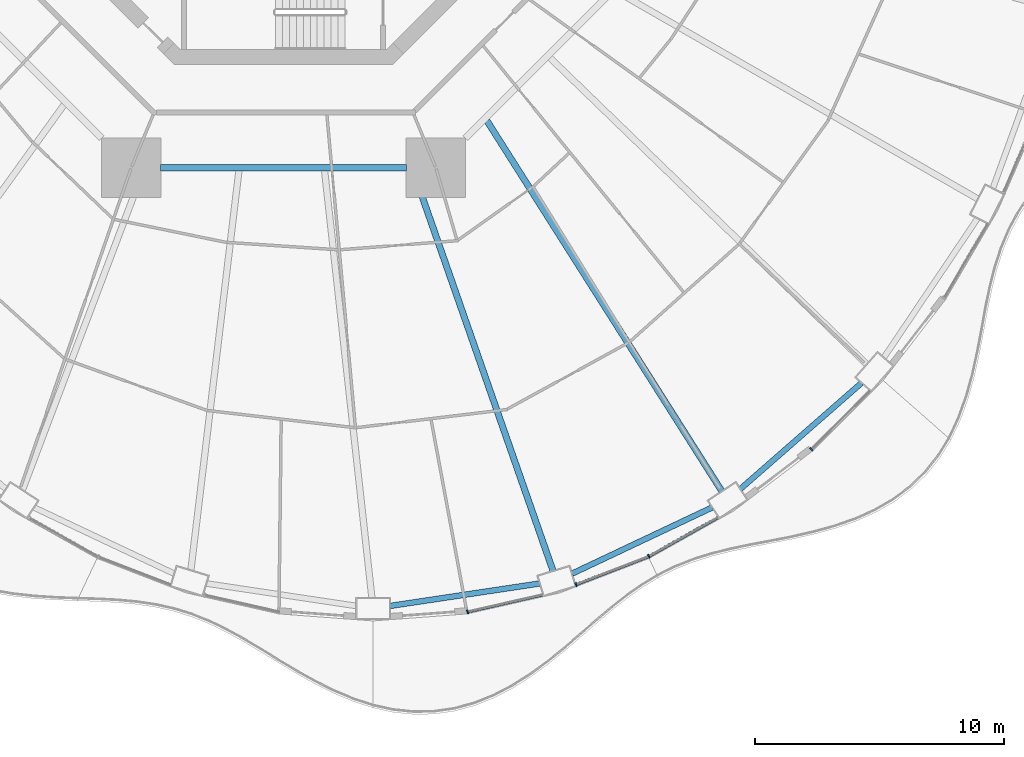
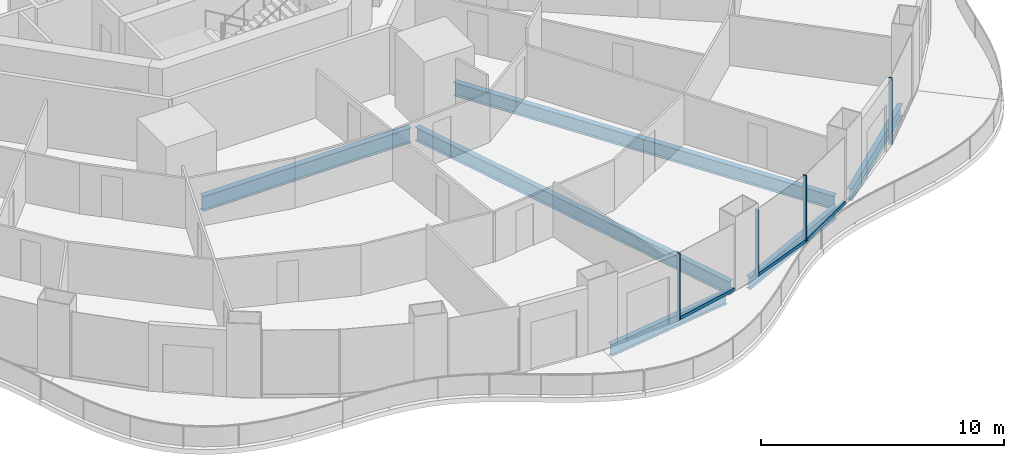
# One storey, part 4 of 22: 7 members, 6 beams, 4 elements without a shape of their own.
"""IFC4 building model written with IfcOpenShell, lengths in metres."""

from ifc_helpers import new_model, si_unit, direction, frame, origin, origin_2d, place, context, subcontext, project, spatial, rectangle, i_section, extrude, material, layer, layer_set, material_profile, profile_set, type_object, element, aggregate, save


model = new_model("IFC4")

# Units and contexts
model_context = context("Model", 3, precision=1e-05, world=origin(), true_north=direction((0.0, 1.0)))
body_context = subcontext(model_context, "Body", "Model", "MODEL_VIEW")
ifc_project = project(units=[si_unit("LENGTHUNIT", "METRE"), si_unit("AREAUNIT", "SQUARE_METRE"), si_unit("VOLUMEUNIT", "CUBIC_METRE"), si_unit("PLANEANGLEUNIT", "RADIAN"), si_unit("MASSUNIT", "GRAM", prefix="KILO")], contexts=[model_context])

# Site, building, storey
site_placement = place(None, origin())
site = spatial("IfcSite", under=ifc_project, at=site_placement, CompositionType="ELEMENT")
building_placement = place(site_placement, origin())
building = spatial("IfcBuilding", under=site, at=building_placement, Name="Nagisa Residences", CompositionType="ELEMENT")
storey_placement = place(building_placement, frame((0.0, 0.0, 64.0)))
storey = spatial("IfcBuildingStorey", under=building, at=storey_placement, Name="L15", CompositionType="ELEMENT", Elevation=64.0)

# Curtain wall, member
ifc_material_1 = material(Name="Concrete-coloured aluminium curtain wall system", Category="concrete")
ifc_layer = layer(ifc_material_1, 0.159912109375)
ifc_layer_set = layer_set([ifc_layer], Name="CW1 CURTAIN WALL")
curtain_wall_type = type_object("IfcCurtainWallType", Name="CW1 CURTAIN WALL", PredefinedType="NOTDEFINED", material=ifc_layer_set)
curtain_wall_1_placement = place(storey_placement, origin())
curtain_wall_1 = element("IfcCurtainWall", 1, at=curtain_wall_1_placement, inside=storey, type_object=curtain_wall_type, Name="cw:CW1:L15:37", PredefinedType="NOTDEFINED")
ifc_material_2 = material(Name="Concrete-coloured aluminium", Category="concrete")
ifc_material_profile_1 = material_profile(ifc_material_2, rectangle(XDim=0.159912109375, YDim=0.06005859375, at=origin_2d()), Name="CW1 MULLION 160x60")
ifc_profile_set_1 = profile_set([ifc_material_profile_1], Name="Concrete-coloured aluminium")
member_type_1 = type_object("IfcMemberType", Name="CW1 MULLION 160x60", PredefinedType="MULLION", material=ifc_profile_set_1)
member_1_placement = place(storey_placement, frame((7.39697265625, -32.633056640625, 0.0), z_axis=(0.0, 0.0, 1.0), x_axis=(-0.2207639201, 0.975327274089, 0.0)))
member_1 = element("IfcMember", 2, at=member_1_placement, type_object=member_type_1, Name="CW1 mullion", PredefinedType="MULLION", context=body_context, shape_type="SweptSolid", body=[
    extrude(rectangle(XDim=0.159912109375, YDim=0.06005859375, at=origin_2d()), origin(), (0.0, 0.0, 1.0), 3.35009765625),
])

curtain_wall_2_placement = place(storey_placement, origin())
curtain_wall_2 = element("IfcCurtainWall", 3, at=curtain_wall_2_placement, inside=storey, type_object=curtain_wall_type, Name="cw:CW1:L15:38", PredefinedType="NOTDEFINED")
member_2_placement = place(storey_placement, frame((11.7578125, -31.537841796875, 0.0), z_axis=(0.0, 0.0, 1.0), x_axis=(-0.360327770268, 0.932825759707, 0.0)))
member_2 = element("IfcMember", 4, at=member_2_placement, type_object=member_type_1, Name="CW1 mullion", PredefinedType="MULLION", context=body_context, shape_type="SweptSolid", body=[
    extrude(rectangle(XDim=0.159912109375, YDim=0.06005859375, at=origin_2d()), origin(), (0.0, 0.0, 1.0), 3.35009765625),
])

curtain_wall_3_placement = place(storey_placement, origin())
curtain_wall_3 = element("IfcCurtainWall", 5, at=curtain_wall_3_placement, inside=storey, type_object=curtain_wall_type, Name="cw:CW1:L15:39", PredefinedType="NOTDEFINED")
member_3_placement = place(storey_placement, frame((14.684814453125, -30.403564453125, 0.0), z_axis=(0.0, 0.0, 1.0), x_axis=(-0.489376918501, 0.872072377523, 0.0)))
member_3 = element("IfcMember", 6, at=member_3_placement, type_object=member_type_1, Name="CW1 mullion", PredefinedType="MULLION", context=body_context, shape_type="SweptSolid", body=[
    extrude(rectangle(XDim=0.159912109375, YDim=0.06005859375, at=origin_2d()), origin(), (0.0, 0.0, 1.0), 3.35009765625),
])

curtain_wall_4_placement = place(storey_placement, origin())
curtain_wall_4 = element("IfcCurtainWall", 7, at=curtain_wall_4_placement, inside=storey, type_object=curtain_wall_type, Name="cw:CW1:L15:41", PredefinedType="NOTDEFINED")
member_4_placement = place(storey_placement, frame((21.21875, -26.102783203125, 0.0), z_axis=(0.0, 0.0, 1.0), x_axis=(-0.706376885714, 0.707835924016, 0.0)))
member_4 = element("IfcMember", 8, at=member_4_placement, type_object=member_type_1, Name="CW1 mullion", PredefinedType="MULLION", context=body_context, shape_type="SweptSolid", body=[
    extrude(rectangle(XDim=0.159912109375, YDim=0.06005859375, at=origin_2d()), origin(), (0.0, 0.0, 1.0), 3.35009765625),
])
aggregate(curtain_wall_4, [member_4])

# Member
ifc_material_3 = material(Name="Concrete-coloured aluminium", Category="concrete")
ifc_material_profile_2 = material_profile(ifc_material_3, rectangle(XDim=0.1201171875, YDim=0.14990234375, at=origin_2d()), Name="CW1 TRANSOM 120x150")
ifc_profile_set_2 = profile_set([ifc_material_profile_2], Name="Concrete-coloured aluminium")
member_type_2 = type_object("IfcMemberType", Name="CW1 TRANSOM 120x150", PredefinedType="USERDEFINED", material=ifc_profile_set_2)
member_5_placement = place(storey_placement, frame((7.36767578125, -32.6396484375, 0.074951171875), z_axis=(0.975331134677, 0.220746863466, 0.0), x_axis=(-0.220746863466, 0.975331134677, 0.0)))
member_5 = element("IfcMember", 9, at=member_5_placement, type_object=member_type_2, Name="CW1 transom", ObjectType="TRANSOM", PredefinedType="USERDEFINED", context=body_context, shape_type="SweptSolid", body=[
    extrude(rectangle(XDim=0.1201171875, YDim=0.14990234375, at=origin_2d()), origin(), (0.0, 0.0, 1.0), 3.114501953125),
])

aggregate(curtain_wall_1, [member_1, member_5])

member_6_placement = place(storey_placement, frame((11.72998046875, -31.548583984375, 0.074951171875), z_axis=(0.932825366452, 0.360328788337, 0.0), x_axis=(-0.360328788337, 0.932825366452, 0.0)))
member_6 = element("IfcMember", 10, at=member_6_placement, type_object=member_type_2, Name="CW1 transom", ObjectType="TRANSOM", PredefinedType="USERDEFINED", context=body_context, shape_type="SweptSolid", body=[
    extrude(rectangle(XDim=0.1201171875, YDim=0.14990234375, at=origin_2d()), origin(), (0.0, 0.0, 1.0), 3.150634765625),
])

aggregate(curtain_wall_2, [member_2, member_6])

member_7_placement = place(storey_placement, frame((14.65869140625, -30.418212890625, 0.074951171875), z_axis=(0.872070011948, 0.489381133946, 0.0), x_axis=(-0.489381133946, 0.872070011948, 0.0)))
member_7 = element("IfcMember", 11, at=member_7_placement, type_object=member_type_2, Name="CW1 transom", ObjectType="TRANSOM", PredefinedType="USERDEFINED", context=body_context, shape_type="SweptSolid", body=[
    extrude(rectangle(XDim=0.1201171875, YDim=0.14990234375, at=origin_2d()), origin(), (0.0, 0.0, 1.0), 3.201171875),
])

aggregate(curtain_wall_3, [member_3, member_7])

# Beams
ifc_material_4 = material(Name="Steel ASTM A572 Gr 50", Category="steel")
ifc_material_profile_3 = material_profile(ifc_material_4, i_section(OverallWidth=0.264892578125, OverallDepth=0.7529296875, WebThickness=0.01318359375, FlangeThickness=0.01708984375, at=origin_2d()), Name="W760x147")
ifc_profile_set_3 = profile_set([ifc_material_profile_3], Name="Steel ASTM A572 Gr 50")
beam_type_1 = type_object("IfcBeamType", Name="Inner ring beam W760x147", PredefinedType="BEAM", material=ifc_profile_set_3)
beam_1_placement = place(storey_placement, frame((-4.94287109375, -14.781982421875, -0.636474609375), z_axis=(1.0, 0.0, 0.0), x_axis=(0.0, 1.0, 0.0)))
element("IfcBeam", 12, at=beam_1_placement, inside=storey, type_object=beam_type_1, Name="beam:L15:ib6", PredefinedType="BEAM", context=body_context, shape_type="SweptSolid", body=[
    extrude(i_section(OverallWidth=0.264892578125, OverallDepth=0.7529296875, WebThickness=0.01318359375, FlangeThickness=0.01708984375, at=origin_2d()), origin(), (0.0, 0.0, 1.0), 9.8857421875),
])
ifc_material_5 = material(Name="Steel ASTM A572 Gr 50", Category="steel")
ifc_material_profile_4 = material_profile(ifc_material_5, i_section(OverallWidth=0.22802734375, OverallDepth=0.60302734375, WebThickness=0.010498046875, FlangeThickness=0.014892578125, at=origin_2d()), Name="W610x101")
ifc_profile_set_4 = profile_set([ifc_material_profile_4], Name="Steel ASTM A572 Gr 50")
beam_type_2 = type_object("IfcBeamType", Name="Perimeter ring beam W610x101", PredefinedType="BEAM", material=ifc_profile_set_4)
beam_2_placement = place(storey_placement, frame((4.2802734375, -32.39794921875, -0.5615234375), z_axis=(0.988914559467, 0.14848566959, 0.0), x_axis=(-0.14848566959, 0.988914559467, 0.0)))
element("IfcBeam", 13, at=beam_2_placement, inside=storey, type_object=beam_type_2, Name="beam:L15:pb19", PredefinedType="BEAM", context=body_context, shape_type="SweptSolid", body=[
    extrude(i_section(OverallWidth=0.22802734375, OverallDepth=0.60302734375, WebThickness=0.010498046875, FlangeThickness=0.014892578125, at=origin_2d()), origin(), (0.0, 0.0, 1.0), 6.08349609375),
])
beam_3_placement = place(storey_placement, frame((11.597900390625, -31.098876953125, -0.5615234375), z_axis=(0.904215426643, 0.427076646774, 0.0), x_axis=(-0.427076646774, 0.904215426643, 0.0)))
element("IfcBeam", 14, at=beam_3_placement, inside=storey, type_object=beam_type_2, Name="beam:L15:pb20", PredefinedType="BEAM", context=body_context, shape_type="SweptSolid", body=[
    extrude(i_section(OverallWidth=0.22802734375, OverallDepth=0.60302734375, WebThickness=0.010498046875, FlangeThickness=0.014892578125, at=origin_2d()), origin(), (0.0, 0.0, 1.0), 6.2275390625),
])
beam_4_placement = place(storey_placement, frame((18.36669921875, -27.693603515625, -0.5615234375), z_axis=(0.7525907186, 0.658488580217, 0.0), x_axis=(-0.658488580217, 0.7525907186, 0.0)))
element("IfcBeam", 15, at=beam_4_placement, inside=storey, type_object=beam_type_2, Name="beam:L15:pb21", PredefinedType="BEAM", context=body_context, shape_type="SweptSolid", body=[
    extrude(i_section(OverallWidth=0.22802734375, OverallDepth=0.60302734375, WebThickness=0.010498046875, FlangeThickness=0.014892578125, at=origin_2d()), origin(), (0.0, 0.0, 1.0), 6.470458984375),
])
ifc_material_6 = material(Name="Steel ASTM A572 Gr 50", Category="steel")
ifc_material_profile_5 = material_profile(ifc_material_6, i_section(OverallWidth=0.25390625, OverallDepth=0.68408203125, WebThickness=0.012451171875, FlangeThickness=0.018798828125, at=origin_2d()), Name="W690x140")
ifc_profile_set_5 = profile_set([ifc_material_profile_5], Name="Steel ASTM A572 Gr 50")
beam_type_3 = type_object("IfcBeamType", Name="Radial beam W690x140", PredefinedType="BEAM", material=ifc_profile_set_5)
beam_5_placement = place(storey_placement, frame((10.834228515625, -30.986328125, -0.60205078125), z_axis=(-0.330051195485, 0.943963033364, 0.0), x_axis=(-0.943963033364, -0.330051195485, 0.0)))
element("IfcBeam", 16, at=beam_5_placement, inside=storey, type_object=beam_type_3, Name="beam:L15:rb20", PredefinedType="BEAM", context=body_context, shape_type="SweptSolid", body=[
    extrude(i_section(OverallWidth=0.25390625, OverallDepth=0.68408203125, WebThickness=0.012451171875, FlangeThickness=0.018798828125, at=origin_2d()), origin(), (0.0, 0.0, 1.0), 17.045654296875),
])
beam_6_placement = place(storey_placement, frame((17.61962890625, -27.78271484375, -0.60205078125), z_axis=(-0.53556610664, 0.844493306911, 0.0), x_axis=(-0.844493306911, -0.53556610664, 0.0)))
element("IfcBeam", 17, at=beam_6_placement, inside=storey, type_object=beam_type_3, Name="beam:L15:rb21", PredefinedType="BEAM", context=body_context, shape_type="SweptSolid", body=[
    extrude(i_section(OverallWidth=0.25390625, OverallDepth=0.68408203125, WebThickness=0.012451171875, FlangeThickness=0.018798828125, at=origin_2d()), origin(), (0.0, 0.0, 1.0), 17.63525390625),
])

save(model, "model.ifc")
